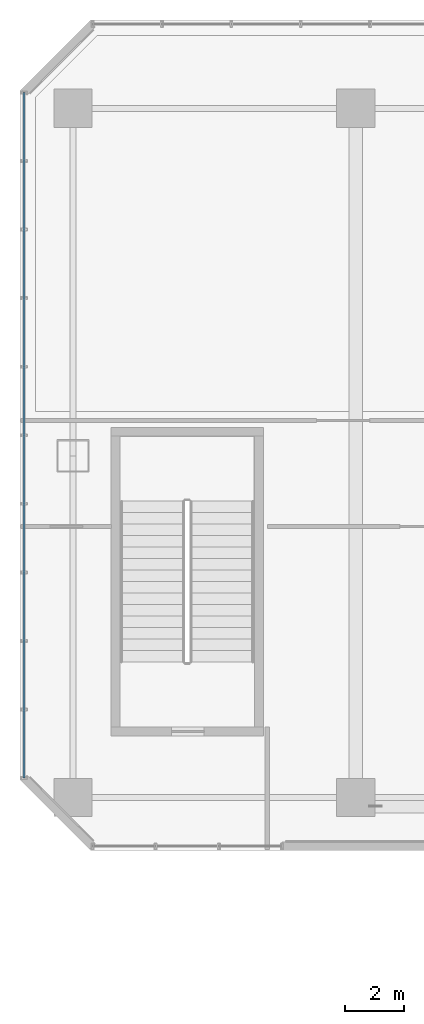
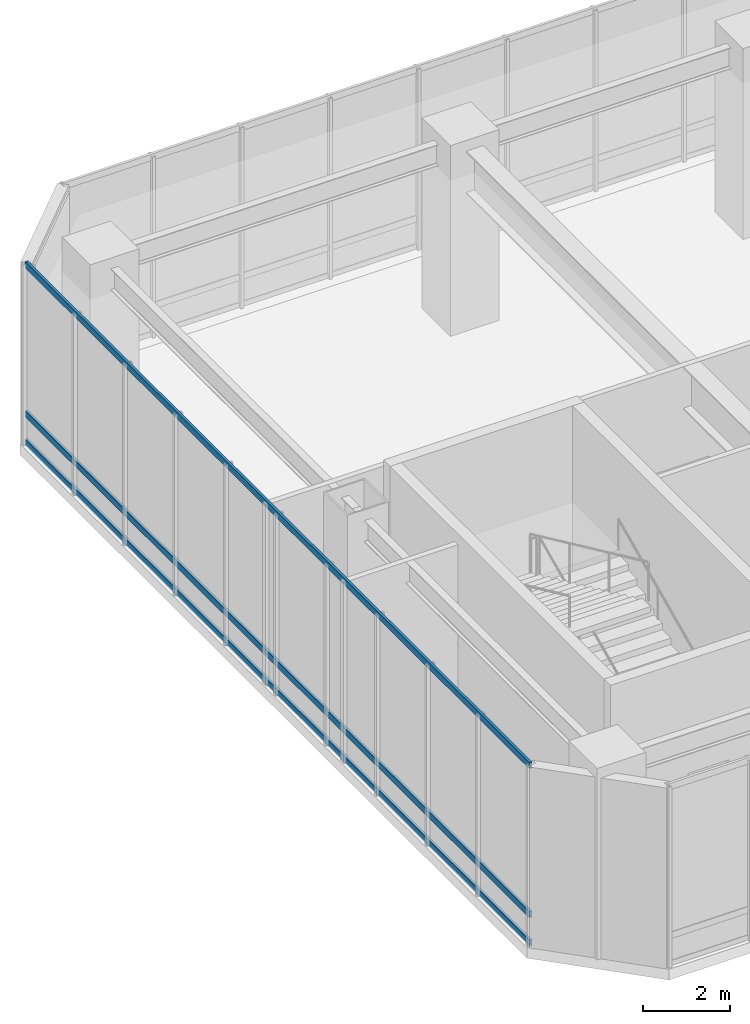
# One storey, part 11 of 35: 3 members, 1 element without a shape of its own.
"""IFC4 building model written with IfcOpenShell, lengths in metres."""

from ifc_helpers import new_model, si_unit, direction, frame, origin, origin_2d, place, context, subcontext, project, spatial, hollow_rectangle, extrude, material, layer, layer_set, material_profile, profile_set, type_object, element, aggregate, save


model = new_model("IFC4")

# Units and contexts
model_context = context("Model", 3, precision=1e-05, world=origin(), true_north=direction((0.0, 1.0)))
body_context = subcontext(model_context, "Body", "Model", "MODEL_VIEW")
ifc_project = project(units=[si_unit("LENGTHUNIT", "METRE"), si_unit("AREAUNIT", "SQUARE_METRE"), si_unit("VOLUMEUNIT", "CUBIC_METRE"), si_unit("PLANEANGLEUNIT", "RADIAN"), si_unit("MASSUNIT", "GRAM", prefix="KILO")], contexts=[model_context])

# Site, building, storey
site_placement = place(None, origin())
site = spatial("IfcSite", under=ifc_project, at=site_placement, CompositionType="ELEMENT")
building_placement = place(site_placement, origin())
building = spatial("IfcBuilding", under=site, at=building_placement, Name="Hatsunagi Terrace Concourse", CompositionType="ELEMENT")
storey_placement = place(building_placement, frame((0.0, 0.0, 5.39990234375)))
storey = spatial("IfcBuildingStorey", under=building, at=storey_placement, Name="L02", CompositionType="ELEMENT", Elevation=5.39990234375)

# Curtain wall, members
ifc_material_1 = material(Name="Anodised Aluminium Alloy 6063-T5", Category="aluminium")
ifc_layer = layer(ifc_material_1, 0.199951171875)
ifc_layer_set = layer_set([ifc_layer], Name="PodiumStorefront_CW01")
curtain_wall_type = type_object("IfcCurtainWallType", Name="PodiumStorefront_CW01", PredefinedType="NOTDEFINED", material=ifc_layer_set)
curtain_wall_placement = place(storey_placement, origin())
curtain_wall = element("IfcCurtainWall", 1, at=curtain_wall_placement, inside=storey, type_object=curtain_wall_type, Name="Unitised Curtain Wall CW-01 CW-L02-10", PredefinedType="NOTDEFINED")
ifc_material_2 = material(Name="Anodised Aluminium Alloy 6063-T5", Category="aluminium")
ifc_material_profile = material_profile(ifc_material_2, hollow_rectangle(XDim=0.070068359375, YDim=0.179931640625, WallThickness=0.00390625, at=origin_2d()), Name="ALU-TRN-180x70x4")
ifc_profile_set = profile_set([ifc_material_profile], Name="Anodised Aluminium Alloy 6063-T5")
member_type = type_object("IfcMemberType", Name="CurtainWallTransom_Heavy_180x70", PredefinedType="USERDEFINED", material=ifc_profile_set)
member_1_placement = place(storey_placement, frame((0.139892578125, 25.85791015625, 0.050048828125), z_axis=(0.0, 1.0, 0.0), x_axis=(-1.0, 0.0, 0.0)))
member_1 = element("IfcMember", 2, at=member_1_placement, type_object=member_type, Name="Curtain Wall Transom TRN-01", ObjectType="TRANSOM", PredefinedType="USERDEFINED", context=body_context, shape_type="SweptSolid", body=[
    extrude(hollow_rectangle(XDim=0.070068359375, YDim=0.179931640625, WallThickness=0.00390625, at=origin_2d()), origin(), (0.0, 0.0, 1.0), 23.2841796875),
])
member_2_placement = place(storey_placement, frame((0.139892578125, 25.85791015625, 0.85009765625), z_axis=(0.0, 1.0, 0.0), x_axis=(-1.0, 0.0, 0.0)))
member_2 = element("IfcMember", 3, at=member_2_placement, type_object=member_type, Name="Curtain Wall Transom TRN-01", ObjectType="TRANSOM", PredefinedType="USERDEFINED", context=body_context, shape_type="SweptSolid", body=[
    extrude(hollow_rectangle(XDim=0.070068359375, YDim=0.179931640625, WallThickness=0.00390625, at=origin_2d()), origin(), (0.0, 0.0, 1.0), 23.2841796875),
])
member_3_placement = place(storey_placement, frame((0.139892578125, 25.85791015625, 5.050048828125), z_axis=(0.0, 1.0, 0.0), x_axis=(-1.0, 0.0, 0.0)))
member_3 = element("IfcMember", 4, at=member_3_placement, type_object=member_type, Name="Curtain Wall Transom TRN-01", ObjectType="TRANSOM", PredefinedType="USERDEFINED", context=body_context, shape_type="SweptSolid", body=[
    extrude(hollow_rectangle(XDim=0.070068359375, YDim=0.179931640625, WallThickness=0.00390625, at=origin_2d()), origin(), (0.0, 0.0, 1.0), 23.2841796875),
])
aggregate(curtain_wall, [member_1, member_2, member_3])

save(model, "model.ifc")
